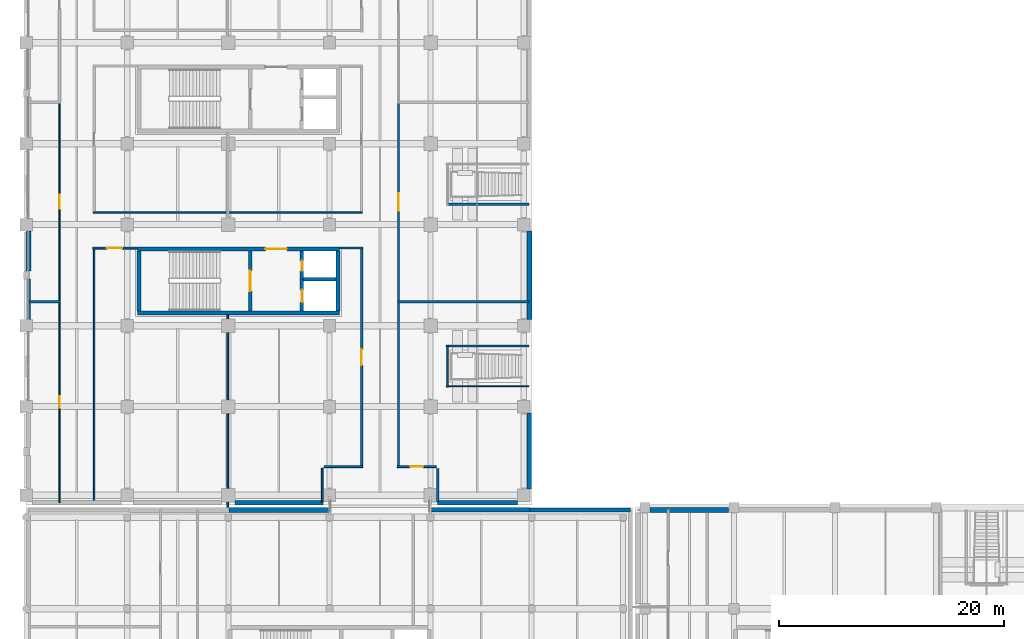
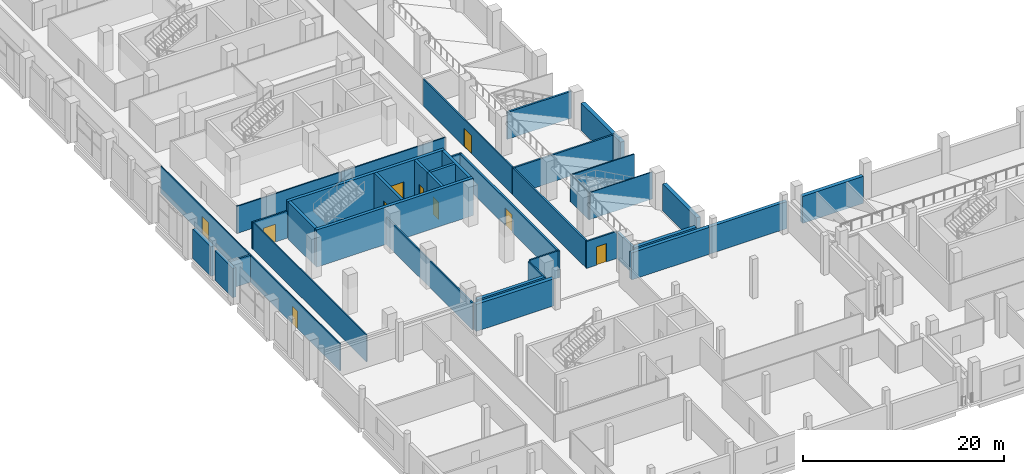
# One storey, part 53 of 100: 39 walls, 10 doors, 10 openings.
"""IFC4 building model written with IfcOpenShell, lengths in metres."""

from ifc_helpers import new_model, si_unit, direction, frame, frame_2d, origin, place, context, subcontext, project, spatial, rectangle, extrude, material, layer, layer_set, type_object, element, fill, save


model = new_model("IFC4")

# Units and contexts
model_context = context("Model", 3, precision=1e-05, world=origin(), true_north=direction((0.0, 1.0)))
body_context = subcontext(model_context, "Body", "Model", "MODEL_VIEW")
ifc_project = project(units=[si_unit("LENGTHUNIT", "METRE"), si_unit("AREAUNIT", "SQUARE_METRE"), si_unit("VOLUMEUNIT", "CUBIC_METRE"), si_unit("PLANEANGLEUNIT", "RADIAN"), si_unit("MASSUNIT", "GRAM", prefix="KILO"), si_unit("THERMODYNAMICTEMPERATUREUNIT", "KELVIN"), si_unit("POWERUNIT", "WATT")], contexts=[model_context])

# Site, building, storey
site_placement = place(None, origin())
site = spatial("IfcSite", under=ifc_project, at=site_placement, CompositionType="ELEMENT")
building_placement = place(site_placement, origin())
building = spatial("IfcBuilding", under=site, at=building_placement, Name="Sindhuravela Promenade Stadium", CompositionType="ELEMENT")
storey_placement = place(building_placement, frame((0.0, 0.0, 4.800048828125)))
storey = spatial("IfcBuildingStorey", under=building, at=storey_placement, Name="L01", CompositionType="ELEMENT", Elevation=4.800048828125)

# Walls
ifc_material_1 = material(Name="Terracotta clay brick masonry (15 MPa)", Category="masonry")
ifc_layer_1 = layer(ifc_material_1, 0.340087890625)
ifc_layer_set_1 = layer_set([ifc_layer_1], Name="Terracotta clay brick masonry (15 MPa)")
wall_type_1 = type_object("IfcWallType", Name="EX-WL-BRK340", PredefinedType="SOLIDWALL", material=ifc_layer_set_1)
wall_1_placement = place(storey_placement, frame((0.199951171875, 52.7548828125, 0.0), z_axis=(0.0, 0.0, 1.0), x_axis=(0.0, 1.0, 0.0)))
element("IfcWall", 1, at=wall_1_placement, inside=storey, type_object=wall_type_1, Name="Exterior masonry wall EW06 WEST L01", PredefinedType="SOLIDWALL", context=body_context, shape_type="SweptSolid", body=[
    extrude(rectangle(XDim=3.590087890625, YDim=0.340087890625, at=frame_2d((1.794921875, 0.0))), origin(), (0.0, 0.0, 1.0), 3.579833984375),
])
ifc_layer_2 = layer(ifc_material_1, 0.3798828125)
ifc_layer_set_2 = layer_set([ifc_layer_2], Name="Terracotta clay brick masonry (15 MPa)")
wall_type_2 = type_object("IfcWallType", Name="EX-WL-BRK380", PredefinedType="SOLIDWALL", material=ifc_layer_set_2)
wall_2_placement = place(storey_placement, frame((26.445068359375, 36.449951171875, 0.0), z_axis=(0.0, 0.0, 1.0), x_axis=(-1.0, 0.0, 0.0)))
element("IfcWall", 2, at=wall_2_placement, inside=storey, type_object=wall_type_2, Name="Exterior masonry wall EW04 WEST L01", PredefinedType="SOLIDWALL", context=body_context, shape_type="SweptSolid", body=[
    extrude(rectangle(XDim=7.840087890625, YDim=0.3798828125, at=frame_2d((3.919921875, 0.0))), origin(), (0.0, 0.0, 1.0), 3.280029296875),
])
wall_3_placement = place(storey_placement, frame((44.86669921875, 35.800048828125, 0.0), z_axis=(0.0, 0.0, 1.0), x_axis=(1.0, 0.0, 0.0)))
element("IfcWall", 3, at=wall_3_placement, inside=storey, type_object=wall_type_2, Name="Exterior masonry wall EW04 Pavilion SW L01", PredefinedType="SOLIDWALL", context=body_context, shape_type="SweptSolid", body=[
    extrude(rectangle(XDim=8.933349609375, YDim=0.3798828125, at=frame_2d((4.466796875, 0.0))), origin(), (0.0, 0.0, 1.0), 3.280029296875),
])
ifc_layer_3 = layer(ifc_material_1, 0.39990234375)
ifc_layer_set_3 = layer_set([ifc_layer_3], Name="Terracotta clay brick masonry (15 MPa)")
wall_type_3 = type_object("IfcWallType", Name="EX-WL-BRK400", PredefinedType="SOLIDWALL", material=ifc_layer_set_3)
wall_4_placement = place(storey_placement, frame((43.7451171875, 36.449951171875, 0.0), z_axis=(0.0, 0.0, 1.0), x_axis=(-1.0, 0.0, 0.0)))
element("IfcWall", 4, at=wall_4_placement, inside=storey, type_object=wall_type_3, Name="Exterior masonry wall EW03 WEST L01", PredefinedType="SOLIDWALL", context=body_context, shape_type="SweptSolid", body=[
    extrude(rectangle(XDim=7.14013671875, YDim=0.39990234375, at=frame_2d((3.570068359375, 0.0))), origin(), (0.0, 0.0, 1.0), 3.280029296875),
])
wall_5_placement = place(storey_placement, frame((35.933349609375, 35.800048828125, 0.0), z_axis=(0.0, 0.0, 1.0), x_axis=(1.0, 0.0, 0.0)))
element("IfcWall", 5, at=wall_5_placement, inside=storey, type_object=wall_type_3, Name="Exterior masonry wall EW03 Pavilion SW L01", PredefinedType="SOLIDWALL", context=body_context, shape_type="SweptSolid", body=[
    extrude(rectangle(XDim=8.933349609375, YDim=0.39990234375, at=frame_2d((4.466796875, 0.0))), origin(), (0.0, 0.0, 1.0), 3.280029296875),
])
ifc_layer_4 = layer(ifc_material_1, 0.419921875)
ifc_layer_set_4 = layer_set([ifc_layer_4], Name="Terracotta clay brick masonry (15 MPa)")
wall_type_4 = type_object("IfcWallType", Name="EX-WL-BRK420", PredefinedType="SOLIDWALL", material=ifc_layer_set_4)
wall_6_placement = place(storey_placement, frame((44.800048828125, 44.445068359375, 0.0), z_axis=(0.0, 0.0, 1.0), x_axis=(0.0, -1.0, 0.0)))
element("IfcWall", 6, at=wall_6_placement, inside=storey, type_object=wall_type_4, Name="Exterior masonry wall EW02 WEST L01", PredefinedType="SOLIDWALL", context=body_context, shape_type="SweptSolid", body=[
    extrude(rectangle(XDim=6.7900390625, YDim=0.419921875, at=frame_2d((3.39501953125, 0.0))), origin(), (0.0, 0.0, 1.0), 3.280029296875),
])
wall_7_placement = place(storey_placement, frame((55.554931640625, 35.800048828125, 0.0), z_axis=(0.0, 0.0, 1.0), x_axis=(1.0, 0.0, 0.0)))
element("IfcWall", 7, at=wall_7_placement, inside=storey, type_object=wall_type_4, Name="Exterior masonry wall EW02 SOUTH L01", PredefinedType="SOLIDWALL", context=body_context, shape_type="SweptSolid", body=[
    extrude(rectangle(XDim=6.989990234375, YDim=0.419921875, at=frame_2d((3.4951171875, 0.0))), origin(), (0.0, 0.0, 1.0), 3.280029296875),
])
wall_8_placement = place(storey_placement, frame((18.066650390625, 35.800048828125, 0.0), z_axis=(0.0, 0.0, 1.0), x_axis=(1.0, 0.0, 0.0)))
element("IfcWall", 8, at=wall_8_placement, inside=storey, type_object=wall_type_4, Name="Exterior masonry wall EW02 Pavilion SW L01", PredefinedType="SOLIDWALL", context=body_context, shape_type="SweptSolid", body=[
    extrude(rectangle(XDim=8.933349609375, YDim=0.419921875, at=frame_2d((4.466796875, 0.0))), origin(), (0.0, 0.0, 1.0), 3.280029296875),
])
ifc_layer_5 = layer(ifc_material_1, 0.4599609375)
ifc_layer_set_5 = layer_set([ifc_layer_5], Name="Terracotta clay brick masonry (15 MPa)")
wall_type_5 = type_object("IfcWallType", Name="EX-WL-BRK460", PredefinedType="SOLIDWALL", material=ifc_layer_set_5)
wall_9_placement = place(storey_placement, frame((0.199951171875, 57.054931640625, 0.0), z_axis=(0.0, 0.0, 1.0), x_axis=(0.0, 1.0, 0.0)))
element("IfcWall", 9, at=wall_9_placement, inside=storey, type_object=wall_type_5, Name="Exterior masonry wall EW01 WEST L01", PredefinedType="SOLIDWALL", context=body_context, shape_type="SweptSolid", body=[
    extrude(rectangle(XDim=3.590087890625, YDim=0.4599609375, at=frame_2d((1.794921875, 0.0))), origin(), (0.0, 0.0, 1.0), 3.579833984375),
])
wall_10_placement = place(storey_placement, frame((44.800048828125, 60.64501953125, 0.0), z_axis=(0.0, 0.0, 1.0), x_axis=(0.0, -1.0, 0.0)))
element("IfcWall", 10, at=wall_10_placement, inside=storey, type_object=wall_type_5, Name="Exterior masonry wall EW01 WEST L01", PredefinedType="SOLIDWALL", context=body_context, shape_type="SweptSolid", body=[
    extrude(rectangle(XDim=7.89013671875, YDim=0.4599609375, at=frame_2d((3.945068359375, 0.0))), origin(), (0.0, 0.0, 1.0), 3.280029296875),
])
ifc_material_2 = material(Name="Fire-rated gypsum partition board", Category="gypsum")
ifc_layer_6 = layer(ifc_material_2, 0.110107421875)
ifc_layer_set_6 = layer_set([ifc_layer_6], Name="Fire-rated gypsum partition board")
wall_type_6 = type_object("IfcWallType", Name="IN-WL-PAR110", PredefinedType="PARTITIONING", material=ifc_layer_set_6)
wall_11_placement = place(storey_placement, frame((37.419921875, 46.800048828125, 0.0), z_axis=(0.0, 0.0, 1.0), x_axis=(1.0, 0.0, 0.0)))
element("IfcWall", 11, at=wall_11_placement, inside=storey, type_object=wall_type_6, Name="Interior partition IW06 WEST L01", PredefinedType="PARTITIONING", context=body_context, shape_type="SweptSolid", body=[
    extrude(rectangle(XDim=7.340087890625, YDim=0.110107421875, at=frame_2d((3.669921875, 0.0))), origin(), (0.0, 0.0, 1.0), 3.280029296875),
])

# Wall, opening, door
wall_12_placement = place(storey_placement, frame((2.9599609375, 36.449951171875, 0.0), z_axis=(0.0, 0.0, 1.0), x_axis=(0.0, 1.0, 0.0)))
wall_12 = element("IfcWall", 12, at=wall_12_placement, inside=storey, type_object=wall_type_6, Name="Corridor partition IW06 West Lower Concourse Hall 9", PredefinedType="PARTITIONING", context=body_context, shape_type="SweptSolid", body=[
    extrude(rectangle(XDim=17.89208984375, YDim=0.110107421875, at=frame_2d((8.946044921875, 0.0))), origin(), (0.0, 0.0, 1.0), 3.280029296875),
])
opening_1_placement = place(wall_12_placement, frame((8.43603515625, 0.0, 0.0)))
opening_1 = element("IfcOpeningElement", 13, at=opening_1_placement, cuts=wall_12, Name="Opening ID11", PredefinedType="OPENING", context=body_context, shape_type="SweptSolid", body=[
    extrude(rectangle(XDim=1.02001953125, YDim=2.159912109375, at=frame_2d((0.510009765625, 1.080078125))), frame((0.0, 0.06494140625, 0.0), z_axis=(0.0, -1.0, 0.0), x_axis=(1.0, 0.0, 0.0)), (0.0, 0.0, 1.0), 0.130126953125),
])
ifc_material_3 = material(Name="Architectural teak timber leaf", Category="wood")
door_type_1 = type_object("IfcDoorType", Name="DR-INT-1020x2160", OperationType="NOTDEFINED", PredefinedType="DOOR", material=ifc_material_3)
door_1_placement = place(opening_1_placement, origin())
door_1 = element("IfcDoor", 14, at=door_1_placement, inside=storey, type_object=door_type_1, Name="West Lower Concourse Hall 9 door", OperationType="SINGLE_SWING_LEFT", OverallHeight=2.159912109375, OverallWidth=1.02001953125, PredefinedType="DOOR", context=body_context, shape_type="SweptSolid", body=[
    extrude(rectangle(XDim=1.02001953125, YDim=2.159912109375, at=frame_2d((0.510009765625, 1.080078125))), frame((0.0, 0.02490234375, 0.0), z_axis=(0.0, -1.0, 0.0), x_axis=(1.0, 0.0, 0.0)), (0.0, 0.0, 1.0), 0.050048828125),
])
fill(opening_1, door_1)

wall_13_placement = place(storey_placement, frame((2.9599609375, 54.342041015625, 0.0), z_axis=(0.0, 0.0, 1.0), x_axis=(0.0, 1.0, 0.0)))
wall_13 = element("IfcWall", 15, at=wall_13_placement, inside=storey, type_object=wall_type_6, Name="Corridor partition IW06 Matchday Steward Post West 12", PredefinedType="PARTITIONING", context=body_context, shape_type="SweptSolid", body=[
    extrude(rectangle(XDim=17.77197265625, YDim=0.110107421875, at=frame_2d((8.885986328125, 0.0))), origin(), (0.0, 0.0, 1.0), 3.280029296875),
])
opening_2_placement = place(wall_13_placement, frame((8.260986328125, 0.0, 0.0)))
opening_2 = element("IfcOpeningElement", 16, at=opening_2_placement, cuts=wall_13, Name="Opening ID04", PredefinedType="OPENING", context=body_context, shape_type="SweptSolid", body=[
    extrude(rectangle(XDim=1.25, YDim=2.14990234375, at=frame_2d((0.625, 1.074951171875))), frame((0.0, 0.06494140625, 0.0), z_axis=(0.0, -1.0, 0.0), x_axis=(1.0, 0.0, 0.0)), (0.0, 0.0, 1.0), 0.130126953125),
])
door_type_2 = type_object("IfcDoorType", Name="DR-INT-1250x2150", OperationType="NOTDEFINED", PredefinedType="DOOR", material=ifc_material_3)
door_2_placement = place(opening_2_placement, origin())
door_2 = element("IfcDoor", 17, at=door_2_placement, inside=storey, type_object=door_type_2, Name="Matchday Steward Post West 12 door", OperationType="SINGLE_SWING_RIGHT", OverallHeight=2.14990234375, OverallWidth=1.25, PredefinedType="DOOR", context=body_context, shape_type="SweptSolid", body=[
    extrude(rectangle(XDim=1.25, YDim=2.14990234375, at=frame_2d((0.625, 1.074951171875))), frame((0.0, 0.02490234375, 0.0), z_axis=(0.0, -1.0, 0.0), x_axis=(1.0, 0.0, 0.0)), (0.0, 0.0, 1.0), 0.050048828125),
])
fill(opening_2, door_2)

# Walls
ifc_layer_7 = layer(ifc_material_2, 0.1298828125)
ifc_layer_set_7 = layer_set([ifc_layer_7], Name="Fire-rated gypsum partition board")
wall_type_7 = type_object("IfcWallType", Name="IN-WL-PAR130", PredefinedType="PARTITIONING", material=ifc_layer_set_7)
wall_14_placement = place(storey_placement, frame((6.0400390625, 36.489990234375, 0.0), z_axis=(0.0, 0.0, 1.0), x_axis=(0.0, 1.0, 0.0)))
element("IfcWall", 18, at=wall_14_placement, inside=storey, type_object=wall_type_7, Name="Interior partition IW05 WEST L01", PredefinedType="PARTITIONING", context=body_context, shape_type="SweptSolid", body=[
    extrude(rectangle(XDim=22.699951171875, YDim=0.1298828125, at=frame_2d((11.35009765625, 0.0))), origin(), (0.0, 0.0, 1.0), 3.280029296875),
])
wall_15_placement = place(storey_placement, frame((37.5, 50.47998046875, 0.0), z_axis=(0.0, 0.0, 1.0), x_axis=(0.0, -1.0, 0.0)))
element("IfcWall", 19, at=wall_15_placement, inside=storey, type_object=wall_type_7, Name="Interior partition IW05 WEST L01", PredefinedType="PARTITIONING", context=body_context, shape_type="SweptSolid", body=[
    extrude(rectangle(XDim=3.760009765625, YDim=0.1298828125, at=frame_2d((1.8798828125, 0.0))), origin(), (0.0, 0.0, 1.0), 3.280029296875),
])
ifc_layer_8 = layer(ifc_material_2, 0.14990234375)
ifc_layer_set_8 = layer_set([ifc_layer_8], Name="Fire-rated gypsum partition board")
wall_type_8 = type_object("IfcWallType", Name="IN-WL-PAR150", PredefinedType="PARTITIONING", material=ifc_layer_set_8)
wall_16_placement = place(storey_placement, frame((17.949951171875, 53.173095703125, 0.0), z_axis=(0.0, 0.0, 1.0), x_axis=(0.0, -1.0, 0.0)))
element("IfcWall", 20, at=wall_16_placement, inside=storey, type_object=wall_type_8, Name="Interior partition IW04 WEST L01", PredefinedType="PARTITIONING", context=body_context, shape_type="SweptSolid", body=[
    extrude(rectangle(XDim=17.14013671875, YDim=0.14990234375, at=frame_2d((8.570068359375, 0.0))), origin(), (0.0, 0.0, 1.0), 3.280029296875),
])
wall_17_placement = place(storey_placement, frame((26.360107421875, 39.5, 0.0), z_axis=(0.0, 0.0, 1.0), x_axis=(0.0, -1.0, 0.0)))
element("IfcWall", 21, at=wall_17_placement, inside=storey, type_object=wall_type_8, Name="Interior partition IW04 WEST L01", PredefinedType="PARTITIONING", context=body_context, shape_type="SweptSolid", body=[
    extrude(rectangle(XDim=3.010009765625, YDim=0.14990234375, at=frame_2d((1.5048828125, 0.0))), origin(), (0.0, 0.0, 1.0), 3.280029296875),
])

# Wall, opening, door
wall_18_placement = place(storey_placement, frame((33.139892578125, 72.114013671875, 0.0), z_axis=(0.0, 0.0, 1.0), x_axis=(0.0, -1.0, 0.0)))
wall_18 = element("IfcWall", 22, at=wall_18_placement, inside=storey, type_object=wall_type_8, Name="Corridor partition IW04 Accessible WC West L01", PredefinedType="PARTITIONING", context=body_context, shape_type="SweptSolid", body=[
    extrude(rectangle(XDim=17.77197265625, YDim=0.14990234375, at=frame_2d((8.885986328125, 0.0))), origin(), (0.0, 0.0, 1.0), 3.280029296875),
])
opening_3_placement = place(wall_18_placement, frame((8.111083984375, 0.0, 0.0)))
opening_3 = element("IfcOpeningElement", 23, at=opening_3_placement, cuts=wall_18, Name="Opening ID02", PredefinedType="OPENING", context=body_context, shape_type="SweptSolid", body=[
    extrude(rectangle(XDim=1.550048828125, YDim=2.199951171875, at=frame_2d((0.77490234375, 1.10009765625))), frame((0.0, 0.0849609375, 0.0), z_axis=(0.0, -1.0, 0.0), x_axis=(1.0, 0.0, 0.0)), (0.0, 0.0, 1.0), 0.169921875),
])
door_type_3 = type_object("IfcDoorType", Name="DR-INT-1550x2200", OperationType="DOUBLE_DOOR_SINGLE_SWING", PredefinedType="DOOR", material=ifc_material_3)
door_3_placement = place(opening_3_placement, origin())
door_3 = element("IfcDoor", 24, at=door_3_placement, inside=storey, type_object=door_type_3, Name="Accessible WC West L01 door", OperationType="DOUBLE_DOOR_SINGLE_SWING", OverallHeight=2.199951171875, OverallWidth=1.550048828125, PredefinedType="DOOR", context=body_context, shape_type="SweptSolid", body=[
    extrude(rectangle(XDim=1.550048828125, YDim=2.199951171875, at=frame_2d((0.77490234375, 1.10009765625))), frame((0.0, 0.02490234375, 0.0), z_axis=(0.0, -1.0, 0.0), x_axis=(1.0, 0.0, 0.0)), (0.0, 0.0, 1.0), 0.050048828125),
])
fill(opening_3, door_3)

# Walls
wall_19_placement = place(storey_placement, frame((44.760009765625, 50.39990234375, 0.0), z_axis=(0.0, 0.0, 1.0), x_axis=(-1.0, 0.0, 0.0)))
element("IfcWall", 25, at=wall_19_placement, inside=storey, type_object=wall_type_8, Name="Interior partition IW04 WEST L01", PredefinedType="PARTITIONING", context=body_context, shape_type="SweptSolid", body=[
    extrude(rectangle(XDim=7.340087890625, YDim=0.14990234375, at=frame_2d((3.669921875, 0.0))), origin(), (0.0, 0.0, 1.0), 3.280029296875),
])
for number, where, z_axis, x_axis, name in (
    (26, (17.909912109375, 62.2900390625, 0.0), (0.0, 0.0, 1.0), (-1.0, 0.0, 0.0), "Interior partition IW04 WEST L01"),
    (27, (29.93994140625, 62.2900390625, 0.0), (0.0, 0.0, 1.0), (-1.0, 0.0, 0.0), "Interior partition IW04 WEST L01"),
):
    element("IfcWall", number, at=place(storey_placement, frame(where, z_axis=z_axis, x_axis=x_axis)), inside=storey, type_object=wall_type_8, Name=name, PredefinedType="PARTITIONING", context=body_context, shape_type="SweptSolid", body=[
        extrude(rectangle(XDim=11.949951171875, YDim=0.14990234375, at=frame_2d((5.97509765625, 0.0))), origin(), (0.0, 0.0, 1.0), 3.280029296875),
    ])

# Wall, opening, door
ifc_layer_9 = layer(ifc_material_2, 0.175048828125)
ifc_layer_set_9 = layer_set([ifc_layer_9], Name="Fire-rated gypsum partition board")
wall_type_9 = type_object("IfcWallType", Name="IN-WL-PAR175", PredefinedType="PARTITIONING", material=ifc_layer_set_9)
wall_20_placement = place(storey_placement, frame((9.89794921875, 59.110107421875, 0.0), z_axis=(0.0, 0.0, 1.0), x_axis=(-1.0, 0.0, 0.0)))
wall_20 = element("IfcWall", 28, at=wall_20_placement, inside=storey, type_object=wall_type_9, Name="Corridor partition IW03 West Lower Concourse Hall", PredefinedType="PARTITIONING", context=body_context, shape_type="SweptSolid", body=[
    extrude(rectangle(XDim=3.97802734375, YDim=0.175048828125, at=frame_2d((1.989013671875, 0.0))), origin(), (0.0, 0.0, 1.0), 3.280029296875),
])
opening_4_placement = place(wall_20_placement, frame((1.327880859375, 0.0, 0.0)))
opening_4 = element("IfcOpeningElement", 29, at=opening_4_placement, cuts=wall_20, Name="Opening ID03", PredefinedType="OPENING", context=body_context, shape_type="SweptSolid", body=[
    extrude(rectangle(XDim=1.39990234375, YDim=2.14990234375, at=frame_2d((0.699951171875, 1.074951171875))), frame((0.0, 0.097412109375, 0.0), z_axis=(0.0, -1.0, 0.0), x_axis=(1.0, 0.0, 0.0)), (0.0, 0.0, 1.0), 0.195068359375),
])
door_type_4 = type_object("IfcDoorType", Name="DR-INT-1400x2150", OperationType="DOUBLE_DOOR_SINGLE_SWING", PredefinedType="DOOR", material=ifc_material_3)
door_4_placement = place(opening_4_placement, origin())
door_4 = element("IfcDoor", 30, at=door_4_placement, inside=storey, type_object=door_type_4, Name="West Lower Concourse Hall door", OperationType="DOUBLE_DOOR_SINGLE_SWING", OverallHeight=2.14990234375, OverallWidth=1.39990234375, PredefinedType="DOOR", context=body_context, shape_type="SweptSolid", body=[
    extrude(rectangle(XDim=1.39990234375, YDim=2.14990234375, at=frame_2d((0.699951171875, 1.074951171875))), frame((0.0, 0.02490234375, 0.0), z_axis=(0.0, -1.0, 0.0), x_axis=(1.0, 0.0, 0.0)), (0.0, 0.0, 1.0), 0.050048828125),
])
fill(opening_4, door_4)

# Wall
wall_21_placement = place(storey_placement, frame((29.93994140625, 39.659912109375, 0.0), z_axis=(0.0, 0.0, 1.0), x_axis=(-1.0, 0.0, 0.0)))
element("IfcWall", 31, at=wall_21_placement, inside=storey, type_object=wall_type_9, Name="Interior partition IW03 WEST L01", PredefinedType="PARTITIONING", context=body_context, shape_type="SweptSolid", body=[
    extrude(rectangle(XDim=3.419921875, YDim=0.175048828125, at=frame_2d((1.7099609375, 0.0))), origin(), (0.0, 0.0, 1.0), 3.280029296875),
])

# Wall, opening, door
wall_22_placement = place(storey_placement, frame((33.02001953125, 39.659912109375, 0.0), z_axis=(0.0, 0.0, 1.0), x_axis=(1.0, 0.0, 0.0)))
wall_22 = element("IfcWall", 32, at=wall_22_placement, inside=storey, type_object=wall_type_9, Name="Corridor partition IW03 Public Toilet Block West L01", PredefinedType="PARTITIONING", context=body_context, shape_type="SweptSolid", body=[
    extrude(rectangle(XDim=3.5, YDim=0.175048828125, at=frame_2d((1.75, 0.0))), origin(), (0.0, 0.0, 1.0), 3.280029296875),
])
opening_5_placement = place(wall_22_placement, frame((1.18994140625, 0.0, 0.0)))
opening_5 = element("IfcOpeningElement", 33, at=opening_5_placement, cuts=wall_22, Name="Opening ID13", PredefinedType="OPENING", context=body_context, shape_type="SweptSolid", body=[
    extrude(rectangle(XDim=1.1201171875, YDim=2.219970703125, at=frame_2d((0.56005859375, 1.10986328125))), frame((0.0, 0.097412109375, 0.0), z_axis=(0.0, -1.0, 0.0), x_axis=(1.0, 0.0, 0.0)), (0.0, 0.0, 1.0), 0.195068359375),
])
door_type_5 = type_object("IfcDoorType", Name="DR-INT-1120x2220", OperationType="NOTDEFINED", PredefinedType="DOOR", material=ifc_material_3)
door_5_placement = place(opening_5_placement, origin())
door_5 = element("IfcDoor", 34, at=door_5_placement, inside=storey, type_object=door_type_5, Name="Public Toilet Block West L01 door", OperationType="SINGLE_SWING_RIGHT", OverallHeight=2.219970703125, OverallWidth=1.1201171875, PredefinedType="DOOR", context=body_context, shape_type="SweptSolid", body=[
    extrude(rectangle(XDim=1.1201171875, YDim=2.219970703125, at=frame_2d((0.56005859375, 1.10986328125))), frame((0.0, 0.02490234375, 0.0), z_axis=(0.0, -1.0, 0.0), x_axis=(1.0, 0.0, 0.0)), (0.0, 0.0, 1.0), 0.050048828125),
])
fill(opening_5, door_5)

# Walls
ifc_layer_10 = layer(ifc_material_2, 0.195068359375)
ifc_layer_set_10 = layer_set([ifc_layer_10], Name="Fire-rated gypsum partition board")
wall_type_10 = type_object("IfcWallType", Name="IN-WL-PAR195", PredefinedType="PARTITIONING", material=ifc_layer_set_10)
wall_23_placement = place(storey_placement, frame((27.902099609375, 59.110107421875, 0.0), z_axis=(0.0, 0.0, 1.0), x_axis=(1.0, 0.0, 0.0)))
element("IfcWall", 35, at=wall_23_placement, inside=storey, type_object=wall_type_10, Name="Interior partition IW02 WEST L01", PredefinedType="PARTITIONING", context=body_context, shape_type="SweptSolid", body=[
    extrude(rectangle(XDim=2.037841796875, YDim=0.195068359375, at=frame_2d((1.01904296875, 0.0))), origin(), (0.0, 0.0, 1.0), 3.280029296875),
])
wall_24_placement = place(storey_placement, frame((44.760009765625, 54.342041015625, 0.0), z_axis=(0.0, 0.0, 1.0), x_axis=(-1.0, 0.0, 0.0)))
element("IfcWall", 36, at=wall_24_placement, inside=storey, type_object=wall_type_10, Name="Interior partition IW02 WEST L01", PredefinedType="PARTITIONING", context=body_context, shape_type="SweptSolid", body=[
    extrude(rectangle(XDim=11.699951171875, YDim=0.195068359375, at=frame_2d((5.85009765625, 0.0))), origin(), (0.0, 0.0, 1.0), 3.280029296875),
])
wall_25_placement = place(storey_placement, frame((33.139892578125, 39.580078125, 0.0), z_axis=(0.0, 0.0, 1.0), x_axis=(0.0, 1.0, 0.0)))
element("IfcWall", 37, at=wall_25_placement, inside=storey, type_object=wall_type_10, Name="Interior partition IW02 WEST L01", PredefinedType="PARTITIONING", context=body_context, shape_type="SweptSolid", body=[
    extrude(rectangle(XDim=14.721923828125, YDim=0.195068359375, at=frame_2d((7.36083984375, 0.0))), origin(), (0.0, 0.0, 1.0), 3.280029296875),
])

# Wall, opening, door
ifc_layer_11 = layer(ifc_material_2, 0.219970703125)
ifc_layer_set_11 = layer_set([ifc_layer_11], Name="Fire-rated gypsum partition board")
wall_type_11 = type_object("IfcWallType", Name="IN-WL-PAR220", PredefinedType="PARTITIONING", material=ifc_layer_set_11)
wall_26_placement = place(storey_placement, frame((29.860107421875, 39.5400390625, 0.0), z_axis=(0.0, 0.0, 1.0), x_axis=(0.0, 1.0, 0.0)))
wall_26 = element("IfcWall", 38, at=wall_26_placement, inside=storey, type_object=wall_type_11, Name="Corridor partition IW01 Matchday Steward Post West", PredefinedType="PARTITIONING", context=body_context, shape_type="SweptSolid", body=[
    extrude(rectangle(XDim=19.68994140625, YDim=0.219970703125, at=frame_2d((9.844970703125, 0.0))), origin(), (0.0, 0.0, 1.0), 3.280029296875),
])
opening_6_placement = place(wall_26_placement, frame((9.14501953125, 0.0, 0.0)))
opening_6 = element("IfcOpeningElement", 39, at=opening_6_placement, cuts=wall_26, Name="Opening ID03", PredefinedType="OPENING", context=body_context, shape_type="SweptSolid", body=[
    extrude(rectangle(XDim=1.39990234375, YDim=2.14990234375, at=frame_2d((0.699951171875, 1.074951171875))), frame((0.0, 0.119873046875, 0.0), z_axis=(0.0, -1.0, 0.0), x_axis=(1.0, 0.0, 0.0)), (0.0, 0.0, 1.0), 0.239990234375),
])
door_6_placement = place(opening_6_placement, origin())
door_6 = element("IfcDoor", 40, at=door_6_placement, inside=storey, type_object=door_type_4, Name="Matchday Steward Post West door", OperationType="DOUBLE_DOOR_SINGLE_SWING", OverallHeight=2.14990234375, OverallWidth=1.39990234375, PredefinedType="DOOR", context=body_context, shape_type="SweptSolid", body=[
    extrude(rectangle(XDim=1.39990234375, YDim=2.14990234375, at=frame_2d((0.699951171875, 1.074951171875))), frame((0.0, 0.02490234375, 0.0), z_axis=(0.0, -1.0, 0.0), x_axis=(1.0, 0.0, 0.0)), (0.0, 0.0, 1.0), 0.050048828125),
])
fill(opening_6, door_6)

# Walls
wall_27_placement = place(storey_placement, frame((37.419921875, 63.0, 0.0), z_axis=(0.0, 0.0, 1.0), x_axis=(1.0, 0.0, 0.0)))
element("IfcWall", 41, at=wall_27_placement, inside=storey, type_object=wall_type_11, Name="Interior partition IW01 WEST L01", PredefinedType="PARTITIONING", context=body_context, shape_type="SweptSolid", body=[
    extrude(rectangle(XDim=7.340087890625, YDim=0.219970703125, at=frame_2d((3.669921875, 0.0))), origin(), (0.0, 0.0, 1.0), 3.280029296875),
])
wall_28_placement = place(storey_placement, frame((36.639892578125, 36.489990234375, 0.0), z_axis=(0.0, 0.0, 1.0), x_axis=(0.0, 1.0, 0.0)))
element("IfcWall", 42, at=wall_28_placement, inside=storey, type_object=wall_type_11, Name="Interior partition IW01 WEST L01", PredefinedType="PARTITIONING", context=body_context, shape_type="SweptSolid", body=[
    extrude(rectangle(XDim=3.010009765625, YDim=0.219970703125, at=frame_2d((1.5048828125, 0.0))), origin(), (0.0, 0.0, 1.0), 3.280029296875),
])
wall_29_placement = place(storey_placement, frame((0.239990234375, 54.342041015625, 0.0), z_axis=(0.0, 0.0, 1.0), x_axis=(1.0, 0.0, 0.0)))
element("IfcWall", 43, at=wall_29_placement, inside=storey, type_object=wall_type_11, Name="Interior partition IW01 WEST L01", PredefinedType="PARTITIONING", context=body_context, shape_type="SweptSolid", body=[
    extrude(rectangle(XDim=2.800048828125, YDim=0.219970703125, at=frame_2d((1.39990234375, 0.0))), origin(), (0.0, 0.0, 1.0), 3.280029296875),
])

# Wall, opening, door
ifc_material_4 = material(Name="Concrete M50", Category="concrete")
ifc_layer_12 = layer(ifc_material_4, 0.300048828125)
ifc_layer_set_12 = layer_set([ifc_layer_12], Name="Concrete M50")
wall_type_12 = type_object("IfcWallType", Name="RC-SW-300", PredefinedType="SHEAR", material=ifc_layer_set_12)
wall_30_placement = place(storey_placement, frame((19.949951171875, 53.52490234375, 0.0), z_axis=(0.0, 0.0, 1.0), x_axis=(0.0, 1.0, 0.0)))
wall_30 = element("IfcWall", 44, at=wall_30_placement, inside=storey, type_object=wall_type_12, Name="Core shear wall C01-ST (L01)", PredefinedType="SHEAR", context=body_context, shape_type="SweptSolid", body=[
    extrude(rectangle(XDim=5.35009765625, YDim=0.300048828125, at=frame_2d((2.675048828125, 0.0))), origin(), (0.0, 0.0, 1.0), 4.52001953125),
])
opening_7_placement = place(wall_30_placement, frame((1.75, 0.0, 0.0)))
opening_7 = element("IfcOpeningElement", 45, at=opening_7_placement, cuts=wall_30, Name="Opening FD01", PredefinedType="OPENING", context=body_context, shape_type="SweptSolid", body=[
    extrude(rectangle(XDim=1.800048828125, YDim=2.25, at=frame_2d((0.89990234375, 1.125))), frame((0.0, 0.159912109375, 0.0), z_axis=(0.0, -1.0, 0.0), x_axis=(1.0, 0.0, 0.0)), (0.0, 0.0, 1.0), 0.320068359375),
])
ifc_material_5 = material(Name="Architectural wrought steel E350", Category="steel")
door_type_6 = type_object("IfcDoorType", Name="DR-CORE-1800x2250", OperationType="DOUBLE_DOOR_SINGLE_SWING", PredefinedType="DOOR", material=ifc_material_5)
door_7_placement = place(opening_7_placement, origin())
door_7 = element("IfcDoor", 46, at=door_7_placement, inside=storey, type_object=door_type_6, Name="Stair ST01 lobby fire door (L01)", OperationType="DOUBLE_DOOR_SINGLE_SWING", OverallHeight=2.25, OverallWidth=1.800048828125, PredefinedType="DOOR", context=body_context, shape_type="SweptSolid", body=[
    extrude(rectangle(XDim=1.800048828125, YDim=2.25, at=frame_2d((0.89990234375, 1.125))), frame((0.0, 0.02490234375, 0.0), z_axis=(0.0, -1.0, 0.0), x_axis=(1.0, 0.0, 0.0)), (0.0, 0.0, 1.0), 0.050048828125),
])
fill(opening_7, door_7)

wall_31_placement = place(storey_placement, frame((24.550048828125, 53.52490234375, 0.0), z_axis=(0.0, 0.0, 1.0), x_axis=(0.0, 1.0, 0.0)))
wall_31 = element("IfcWall", 47, at=wall_31_placement, inside=storey, type_object=wall_type_12, Name="Core shear wall C01-LFT (L01)", PredefinedType="SHEAR", context=body_context, shape_type="SweptSolid", body=[
    extrude(rectangle(XDim=2.8251953125, YDim=0.300048828125, at=frame_2d((1.41259765625, 0.0))), origin(), (0.0, 0.0, 1.0), 4.52001953125),
])
opening_8_placement = place(wall_31_placement, frame((0.77490234375, 0.0, 0.0)))
opening_8 = element("IfcOpeningElement", 48, at=opening_8_placement, cuts=wall_31, Name="Opening LD", PredefinedType="OPENING", context=body_context, shape_type="SweptSolid", body=[
    extrude(rectangle(XDim=1.10009765625, YDim=2.10009765625, at=frame_2d((0.550048828125, 1.050048828125))), frame((0.0, 0.159912109375, 0.0), z_axis=(0.0, -1.0, 0.0), x_axis=(1.0, 0.0, 0.0)), (0.0, 0.0, 1.0), 0.320068359375),
])
door_type_7 = type_object("IfcDoorType", Name="DR-LFT-1100x2100", OperationType="DOUBLE_DOOR_SLIDING", PredefinedType="DOOR", material=ifc_material_5)
door_8_placement = place(opening_8_placement, origin())
door_8 = element("IfcDoor", 49, at=door_8_placement, inside=storey, type_object=door_type_7, Name="Lift FL01 landing door (L01)", OperationType="DOUBLE_DOOR_SLIDING", OverallHeight=2.10009765625, OverallWidth=1.10009765625, PredefinedType="DOOR", context=body_context, shape_type="SweptSolid", body=[
    extrude(rectangle(XDim=1.10009765625, YDim=2.10009765625, at=frame_2d((0.550048828125, 1.050048828125))), frame((0.0, 0.02490234375, 0.0), z_axis=(0.0, -1.0, 0.0), x_axis=(1.0, 0.0, 0.0)), (0.0, 0.0, 1.0), 0.050048828125),
])
fill(opening_8, door_8)

wall_32_placement = place(storey_placement, frame((24.550048828125, 56.35009765625, 0.0), z_axis=(0.0, 0.0, 1.0), x_axis=(0.0, 1.0, 0.0)))
wall_32 = element("IfcWall", 50, at=wall_32_placement, inside=storey, type_object=wall_type_12, Name="Core shear wall C01-RSR (L01)", PredefinedType="SHEAR", context=body_context, shape_type="SweptSolid", body=[
    extrude(rectangle(XDim=2.52490234375, YDim=0.300048828125, at=frame_2d((1.262451171875, 0.0))), origin(), (0.0, 0.0, 1.0), 4.52001953125),
])
opening_9_placement = place(wall_32_placement, frame((0.72509765625, 0.0, 0.0)))
opening_9 = element("IfcOpeningElement", 51, at=opening_9_placement, cuts=wall_32, Name="Opening FD03", PredefinedType="OPENING", context=body_context, shape_type="SweptSolid", body=[
    extrude(rectangle(XDim=0.89990234375, YDim=2.10009765625, at=frame_2d((0.449951171875, 1.050048828125))), frame((0.0, 0.159912109375, 0.0), z_axis=(0.0, -1.0, 0.0), x_axis=(1.0, 0.0, 0.0)), (0.0, 0.0, 1.0), 0.320068359375),
])
door_type_8 = type_object("IfcDoorType", Name="DR-RSR-900x2100", OperationType="NOTDEFINED", PredefinedType="DOOR", material=ifc_material_5)
door_9_placement = place(opening_9_placement, origin())
door_9 = element("IfcDoor", 52, at=door_9_placement, inside=storey, type_object=door_type_8, Name="Riser shaft access door C01 (L01)", OperationType="SINGLE_SWING_RIGHT", OverallHeight=2.10009765625, OverallWidth=0.89990234375, PredefinedType="DOOR", context=body_context, shape_type="SweptSolid", body=[
    extrude(rectangle(XDim=0.89990234375, YDim=2.10009765625, at=frame_2d((0.449951171875, 1.050048828125))), frame((0.0, 0.02490234375, 0.0), z_axis=(0.0, -1.0, 0.0), x_axis=(1.0, 0.0, 0.0)), (0.0, 0.0, 1.0), 0.050048828125),
])
fill(opening_9, door_9)

# Walls
wall_33_placement = place(storey_placement, frame((24.699951171875, 56.35009765625, 0.0), z_axis=(0.0, 0.0, 1.0), x_axis=(1.0, 0.0, 0.0)))
element("IfcWall", 53, at=wall_33_placement, inside=storey, type_object=wall_type_12, Name="Core shear wall C01-DIV (L01)", PredefinedType="SHEAR", context=body_context, shape_type="SweptSolid", body=[
    extrude(rectangle(XDim=2.875, YDim=0.300048828125, at=frame_2d((1.4375, 0.0))), origin(), (0.0, 0.0, 1.0), 4.52001953125),
])
ifc_layer_13 = layer(ifc_material_4, 0.35009765625)
ifc_layer_set_13 = layer_set([ifc_layer_13], Name="Concrete M50")
wall_type_13 = type_object("IfcWallType", Name="RC-SW-350", PredefinedType="SHEAR", material=ifc_layer_set_13)
wall_34_placement = place(storey_placement, frame((9.89990234375, 53.35009765625, 0.0), z_axis=(0.0, 0.0, 1.0), x_axis=(1.0, 0.0, 0.0)))
element("IfcWall", 54, at=wall_34_placement, inside=storey, type_object=wall_type_13, Name="Core shear wall C01-S (L01)", PredefinedType="SHEAR", context=body_context, shape_type="SweptSolid", body=[
    extrude(rectangle(XDim=18.0, YDim=0.35009765625, at=frame_2d((9.0, 0.0))), origin(), (0.0, 0.0, 1.0), 4.52001953125),
])

# Wall, opening, door
wall_35_placement = place(storey_placement, frame((27.89990234375, 59.050048828125, 0.0), z_axis=(0.0, 0.0, 1.0), x_axis=(-1.0, 0.0, 0.0)))
wall_35 = element("IfcWall", 55, at=wall_35_placement, inside=storey, type_object=wall_type_13, Name="Core shear wall C01-N (L01)", PredefinedType="SHEAR", context=body_context, shape_type="SweptSolid", body=[
    extrude(rectangle(XDim=18.0, YDim=0.35009765625, at=frame_2d((9.0, 0.0))), origin(), (0.0, 0.0, 1.0), 4.52001953125),
])
opening_10_placement = place(wall_35_placement, frame((4.699951171875, 0.0, 0.0)))
opening_10 = element("IfcOpeningElement", 56, at=opening_10_placement, cuts=wall_35, Name="Opening FD02", PredefinedType="OPENING", context=body_context, shape_type="SweptSolid", body=[
    extrude(rectangle(XDim=1.89990234375, YDim=2.25, at=frame_2d((0.949951171875, 1.125))), frame((0.0, 0.18505859375, 0.0), z_axis=(0.0, -1.0, 0.0), x_axis=(1.0, 0.0, 0.0)), (0.0, 0.0, 1.0), 0.3701171875),
])
door_type_9 = type_object("IfcDoorType", Name="DR-LOB-1900x2250", OperationType="DOUBLE_DOOR_SINGLE_SWING", PredefinedType="DOOR", material=ifc_material_5)
door_10_placement = place(opening_10_placement, origin())
door_10 = element("IfcDoor", 57, at=door_10_placement, inside=storey, type_object=door_type_9, Name="Protected lobby entrance door C01 (L01)", OperationType="DOUBLE_DOOR_SINGLE_SWING", OverallHeight=2.25, OverallWidth=1.89990234375, PredefinedType="DOOR", context=body_context, shape_type="SweptSolid", body=[
    extrude(rectangle(XDim=1.89990234375, YDim=2.25, at=frame_2d((0.949951171875, 1.125))), frame((0.0, 0.02490234375, 0.0), z_axis=(0.0, -1.0, 0.0), x_axis=(1.0, 0.0, 0.0)), (0.0, 0.0, 1.0), 0.050048828125),
])
fill(opening_10, door_10)

# Walls
for number, where, z_axis, x_axis, name in (
    (58, (10.050048828125, 58.875, 0.0), (0.0, 0.0, 1.0), (0.0, -1.0, 0.0), "Core shear wall C01-W (L01)"),
    (59, (27.75, 53.52490234375, 0.0), (0.0, 0.0, 1.0), (0.0, 1.0, 0.0), "Core shear wall C01-E (L01)"),
):
    element("IfcWall", number, at=place(storey_placement, frame(where, z_axis=z_axis, x_axis=x_axis)), inside=storey, type_object=wall_type_13, Name=name, PredefinedType="SHEAR", context=body_context, shape_type="SweptSolid", body=[
        extrude(rectangle(XDim=5.35009765625, YDim=0.35009765625, at=frame_2d((2.675048828125, 0.0))), origin(), (0.0, 0.0, 1.0), 4.52001953125),
    ])

save(model, "model.ifc")
